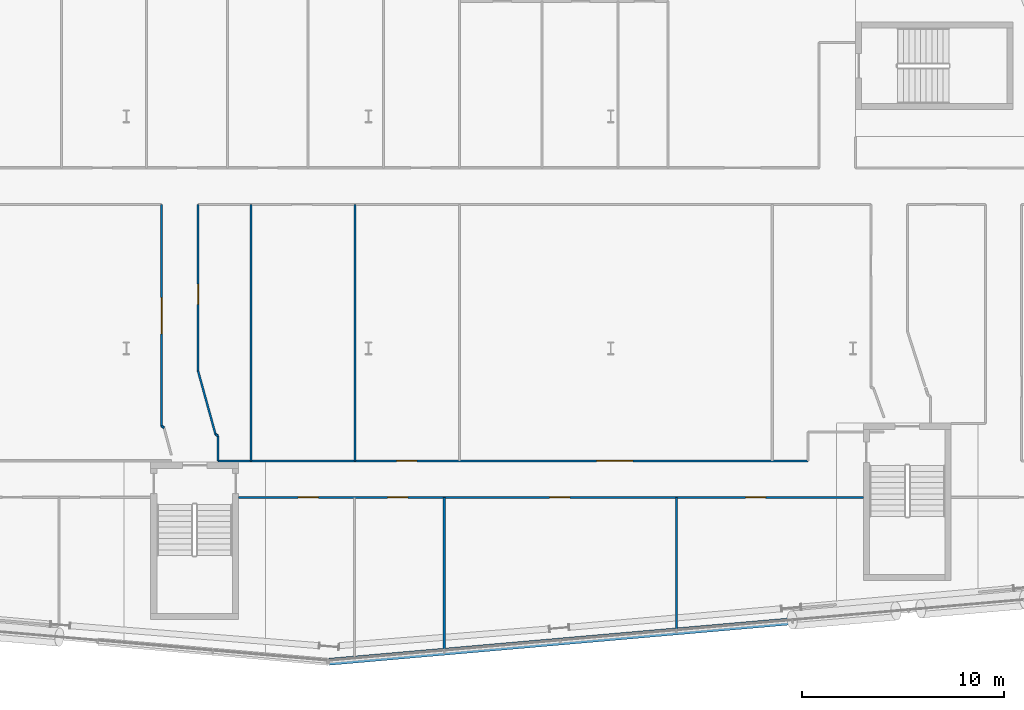
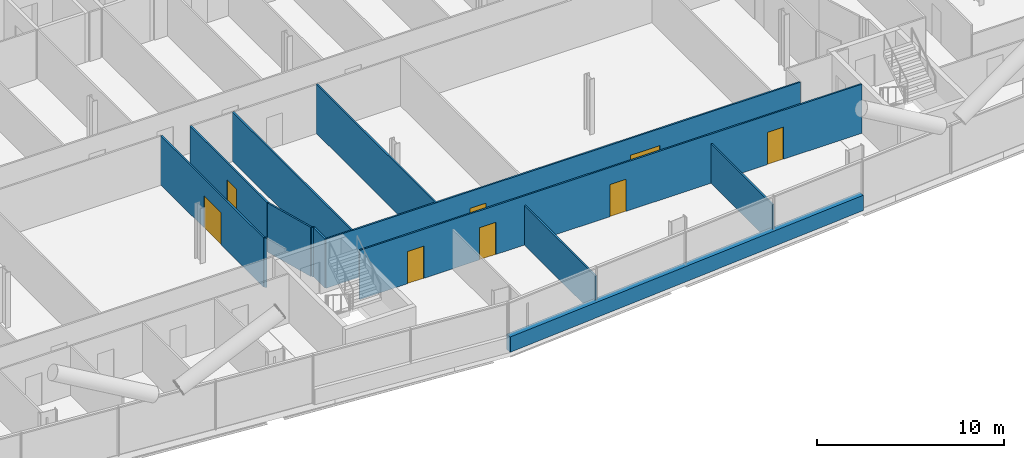
# One storey, part 15 of 27: 13 walls, 8 doors, 8 openings.
"""IFC4 building model written with IfcOpenShell, lengths in metres."""

from ifc_helpers import new_model, si_unit, direction, frame, frame_2d, origin, place, context, subcontext, project, spatial, rectangle, extrude, material, layer, layer_set, type_object, element, fill, save


model = new_model("IFC4")

# Units and contexts
model_context = context("Model", 3, precision=1e-05, world=origin(), true_north=direction((0.0, 1.0)))
body_context = subcontext(model_context, "Body", "Model", "MODEL_VIEW")
ifc_project = project(units=[si_unit("LENGTHUNIT", "METRE"), si_unit("AREAUNIT", "SQUARE_METRE"), si_unit("VOLUMEUNIT", "CUBIC_METRE"), si_unit("PLANEANGLEUNIT", "RADIAN"), si_unit("MASSUNIT", "GRAM", prefix="KILO")], contexts=[model_context])

# Site, building, storey
site_placement = place(None, origin())
site = spatial("IfcSite", under=ifc_project, at=site_placement, CompositionType="ELEMENT")
building_placement = place(site_placement, origin())
building = spatial("IfcBuilding", under=site, at=building_placement, Name="Wharfspan Tower", CompositionType="ELEMENT")
storey_placement = place(building_placement, frame((0.0, 0.0, 55.899902)))
storey = spatial("IfcBuildingStorey", under=building, at=storey_placement, Name="L10", CompositionType="ELEMENT", Elevation=55.899902)

# Wall, opening, door
ifc_material_1 = material(Name="Gypsum board on steel studs", Category="steel")
ifc_layer_1 = layer(ifc_material_1, 0.100098)
ifc_layer_set_1 = layer_set([ifc_layer_1], Name="Gypsum board on steel studs")
wall_type_1 = type_object("IfcWallType", Name="Compartment wall 100 EI 60", PredefinedType="PARTITIONING", material=ifc_layer_set_1)
wall_1_placement = place(storey_placement, frame((37.745117, 7.659912, 0.0), z_axis=(0.0, 0.0, 1.0), x_axis=(0.0, 1.0, 0.0)))
wall_1 = element("IfcWall", 1, at=wall_1_placement, inside=storey, type_object=wall_type_1, Name="Partition L10.w034", PredefinedType="PARTITIONING", context=body_context, shape_type="SweptSolid", body=[
    extrude(rectangle(XDim=10.97998, YDim=0.100098, at=frame_2d((5.48999, 0.0))), origin(), (0.0, 0.0, 1.0), 3.200195),
])
opening_1_placement = place(wall_1_placement, frame((4.554932, 0.0, 0.0)))
opening_1 = element("IfcOpeningElement", 2, at=opening_1_placement, cuts=wall_1, Name="Opening A2-18", PredefinedType="OPENING", context=body_context, shape_type="SweptSolid", body=[
    extrude(rectangle(XDim=1.800049, YDim=2.100098, at=frame_2d((0.899902, 1.050049))), frame((0.0, 0.060059, 0.0), z_axis=(0.0, -1.0, 0.0), x_axis=(1.0, 0.0, 0.0)), (0.0, 0.0, 1.0), 0.120117),
])
ifc_material_2 = material(Name="Fire-rated timber door leaf in steel frame", Category="steel")
door_type_1 = type_object("IfcDoorType", Name="Door 1800 FD30S Double", OperationType="DOUBLE_DOOR_SINGLE_SWING", PredefinedType="DOOR", material=ifc_material_2)
door_1_placement = place(opening_1_placement, origin())
door_1 = element("IfcDoor", 3, at=door_1_placement, inside=storey, type_object=door_type_1, Name="Door A2-18", OperationType="DOUBLE_DOOR_SINGLE_SWING", OverallHeight=2.100098, OverallWidth=1.800049, PredefinedType="DOOR", context=body_context, shape_type="SweptSolid", body=[
    extrude(rectangle(XDim=1.800049, YDim=2.100098, at=frame_2d((0.899902, 1.050049))), frame((0.0, 0.024902, 0.0), z_axis=(0.0, -1.0, 0.0), x_axis=(1.0, 0.0, 0.0)), (0.0, 0.0, 1.0), 0.050049),
])
fill(opening_1, door_1)

# Wall
wall_2_placement = place(storey_placement, frame((37.86499, 7.570068, 0.0), z_axis=(0.0, 0.0, 1.0), x_axis=(-0.800198, 0.599741, 0.0)))
element("IfcWall", 4, at=wall_2_placement, inside=storey, type_object=wall_type_1, Name="Partition L10.w035", PredefinedType="PARTITIONING", context=body_context, shape_type="SweptSolid", body=[
    extrude(rectangle(XDim=0.149902, YDim=0.100098, at=frame_2d((0.074951, 0.0))), origin(), (0.0, 0.0, 1.0), 3.200195),
])

# Wall, opening, door
wall_3_placement = place(storey_placement, frame((39.550049, 10.389893, 0.0), z_axis=(0.0, 0.0, 1.0), x_axis=(0.0, 1.0, 0.0)))
wall_3 = element("IfcWall", 5, at=wall_3_placement, inside=storey, type_object=wall_type_1, Name="Partition L10.w037", PredefinedType="PARTITIONING", context=body_context, shape_type="SweptSolid", body=[
    extrude(rectangle(XDim=8.25, YDim=0.100098, at=frame_2d((4.125, 0.0))), origin(), (0.0, 0.0, 1.0), 3.200195),
])
opening_2_placement = place(wall_3_placement, frame((3.292969, 0.0, 0.0)))
opening_2 = element("IfcOpeningElement", 6, at=opening_2_placement, cuts=wall_3, Name="Opening A2-19", PredefinedType="OPENING", context=body_context, shape_type="SweptSolid", body=[
    extrude(rectangle(XDim=1.0, YDim=2.100098, at=frame_2d((0.5, 1.050049))), frame((0.0, 0.060059, 0.0), z_axis=(0.0, -1.0, 0.0), x_axis=(1.0, 0.0, 0.0)), (0.0, 0.0, 1.0), 0.120117),
])
door_type_2 = type_object("IfcDoorType", Name="Door 1000 FD30S Left", OperationType="SINGLE_SWING_LEFT", PredefinedType="DOOR", material=ifc_material_2)
door_2_placement = place(opening_2_placement, origin())
door_2 = element("IfcDoor", 7, at=door_2_placement, inside=storey, type_object=door_type_2, Name="Door A2-19", OperationType="SINGLE_SWING_LEFT", OverallHeight=2.100098, OverallWidth=1.0, PredefinedType="DOOR", context=body_context, shape_type="SweptSolid", body=[
    extrude(rectangle(XDim=1.0, YDim=2.100098, at=frame_2d((0.5, 1.050049))), frame((0.0, 0.024902, 0.0), z_axis=(0.0, -1.0, 0.0), x_axis=(1.0, 0.0, 0.0)), (0.0, 0.0, 1.0), 0.050049),
])
fill(opening_2, door_2)

# Walls
wall_4_placement = place(storey_placement, frame((40.415039, 7.25, 0.0), z_axis=(0.0, 0.0, 1.0), x_axis=(-0.26559, 0.964085, 0.0)))
element("IfcWall", 8, at=wall_4_placement, inside=storey, type_object=wall_type_1, Name="Partition L10.w039", PredefinedType="PARTITIONING", context=body_context, shape_type="SweptSolid", body=[
    extrude(rectangle(XDim=3.256836, YDim=0.100098, at=frame_2d((1.628418, 0.0))), origin(), (0.0, 0.0, 1.0), 3.200195),
])
wall_5_placement = place(storey_placement, frame((40.534912, 5.925049, 0.0), z_axis=(0.0, 0.0, 1.0), x_axis=(0.0, 1.0, 0.0)))
element("IfcWall", 9, at=wall_5_placement, inside=storey, type_object=wall_type_1, Name="Partition L10.w040", PredefinedType="PARTITIONING", context=body_context, shape_type="SweptSolid", body=[
    extrude(rectangle(XDim=1.234863, YDim=0.100098, at=frame_2d((0.617432, 0.0))), origin(), (0.0, 0.0, 1.0), 3.200195),
])

# Wall, openings, doors
wall_6_placement = place(storey_placement, frame((40.534912, 5.925049, 0.0), z_axis=(0.0, 0.0, 1.0), x_axis=(1.0, 0.0, 0.0)))
wall_6 = element("IfcWall", 10, at=wall_6_placement, inside=storey, type_object=wall_type_1, Name="Partition L10.w041", PredefinedType="PARTITIONING", context=body_context, shape_type="SweptSolid", body=[
    extrude(rectangle(XDim=29.22998, YDim=0.100098, at=frame_2d((14.61499, 0.0))), origin(), (0.0, 0.0, 1.0), 3.200195),
])
opening_3_placement = place(wall_6_placement, frame((8.860107, 0.0, 0.0)))
opening_3 = element("IfcOpeningElement", 11, at=opening_3_placement, cuts=wall_6, Name="Opening A2-15", PredefinedType="OPENING", context=body_context, shape_type="SweptSolid", body=[
    extrude(rectangle(XDim=1.0, YDim=2.100098, at=frame_2d((0.5, 1.050049))), frame((0.0, 0.060059, 0.0), z_axis=(0.0, -1.0, 0.0), x_axis=(1.0, 0.0, 0.0)), (0.0, 0.0, 1.0), 0.120117),
])
opening_4_placement = place(wall_6_placement, frame((18.764893, 0.0, 0.0)))
opening_4 = element("IfcOpeningElement", 12, at=opening_4_placement, cuts=wall_6, Name="Opening A2-16", PredefinedType="OPENING", context=body_context, shape_type="SweptSolid", body=[
    extrude(rectangle(XDim=1.800049, YDim=2.100098, at=frame_2d((0.899902, 1.050049))), frame((0.0, 0.060059, 0.0), z_axis=(0.0, -1.0, 0.0), x_axis=(1.0, 0.0, 0.0)), (0.0, 0.0, 1.0), 0.120117),
])
door_3_placement = place(opening_3_placement, origin())
door_3 = element("IfcDoor", 13, at=door_3_placement, inside=storey, type_object=door_type_2, Name="Door A2-15", OperationType="SINGLE_SWING_LEFT", OverallHeight=2.100098, OverallWidth=1.0, PredefinedType="DOOR", context=body_context, shape_type="SweptSolid", body=[
    extrude(rectangle(XDim=1.0, YDim=2.100098, at=frame_2d((0.5, 1.050049))), frame((0.0, 0.024902, 0.0), z_axis=(0.0, -1.0, 0.0), x_axis=(1.0, 0.0, 0.0)), (0.0, 0.0, 1.0), 0.050049),
])
fill(opening_3, door_3)
door_4_placement = place(opening_4_placement, origin())
door_4 = element("IfcDoor", 14, at=door_4_placement, inside=storey, type_object=door_type_1, Name="Door A2-16", OperationType="DOUBLE_DOOR_SINGLE_SWING", OverallHeight=2.100098, OverallWidth=1.800049, PredefinedType="DOOR", context=body_context, shape_type="SweptSolid", body=[
    extrude(rectangle(XDim=1.800049, YDim=2.100098, at=frame_2d((0.899902, 1.050049))), frame((0.0, 0.024902, 0.0), z_axis=(0.0, -1.0, 0.0), x_axis=(1.0, 0.0, 0.0)), (0.0, 0.0, 1.0), 0.050049),
])
fill(opening_4, door_4)

# Wall
wall_7_placement = place(storey_placement, frame((40.534912, 7.159912, 0.0), z_axis=(0.0, 0.0, 1.0), x_axis=(-0.799412, 0.60078, 0.0)))
element("IfcWall", 15, at=wall_7_placement, inside=storey, type_object=wall_type_1, Name="Partition L10.w042", PredefinedType="PARTITIONING", context=body_context, shape_type="SweptSolid", body=[
    extrude(rectangle(XDim=0.149902, YDim=0.100098, at=frame_2d((0.074951, 0.0))), origin(), (0.0, 0.0, 1.0), 3.200195),
])

# Wall, openings, doors
wall_8_placement = place(storey_placement, frame((41.55835, 4.120117, 0.0), z_axis=(0.0, 0.0, 1.0), x_axis=(1.0, 0.0, 0.0)))
wall_8 = element("IfcWall", 16, at=wall_8_placement, inside=storey, type_object=wall_type_1, Name="Partition L10.w044", PredefinedType="PARTITIONING", context=body_context, shape_type="SweptSolid", body=[
    extrude(rectangle(XDim=30.959229, YDim=0.100098, at=frame_2d((15.479492, 0.0))), origin(), (0.0, 0.0, 1.0), 3.200195),
])
opening_5_placement = place(wall_8_placement, frame((2.95166, 0.0, 0.0)))
opening_5 = element("IfcOpeningElement", 17, at=opening_5_placement, cuts=wall_8, Name="Opening A2-07", PredefinedType="OPENING", context=body_context, shape_type="SweptSolid", body=[
    extrude(rectangle(XDim=1.0, YDim=2.100098, at=frame_2d((0.5, 1.050049))), frame((0.0, 0.060059, 0.0), z_axis=(0.0, -1.0, 0.0), x_axis=(1.0, 0.0, 0.0)), (0.0, 0.0, 1.0), 0.120117),
])
opening_6_placement = place(wall_8_placement, frame((7.386719, 0.0, 0.0)))
opening_6 = element("IfcOpeningElement", 18, at=opening_6_placement, cuts=wall_8, Name="Opening A2-08", PredefinedType="OPENING", context=body_context, shape_type="SweptSolid", body=[
    extrude(rectangle(XDim=1.0, YDim=2.100098, at=frame_2d((0.5, 1.050049))), frame((0.0, 0.060059, 0.0), z_axis=(0.0, -1.0, 0.0), x_axis=(1.0, 0.0, 0.0)), (0.0, 0.0, 1.0), 0.120117),
])
opening_7_placement = place(wall_8_placement, frame((15.416748, 0.0, 0.0)))
opening_7 = element("IfcOpeningElement", 19, at=opening_7_placement, cuts=wall_8, Name="Opening A2-09", PredefinedType="OPENING", context=body_context, shape_type="SweptSolid", body=[
    extrude(rectangle(XDim=1.0, YDim=2.100098, at=frame_2d((0.5, 1.050049))), frame((0.0, 0.060059, 0.0), z_axis=(0.0, -1.0, 0.0), x_axis=(1.0, 0.0, 0.0)), (0.0, 0.0, 1.0), 0.120117),
])
opening_8_placement = place(wall_8_placement, frame((25.116699, 0.0, 0.0)))
opening_8 = element("IfcOpeningElement", 20, at=opening_8_placement, cuts=wall_8, Name="Opening A2-10", PredefinedType="OPENING", context=body_context, shape_type="SweptSolid", body=[
    extrude(rectangle(XDim=1.0, YDim=2.100098, at=frame_2d((0.5, 1.050049))), frame((0.0, 0.060059, 0.0), z_axis=(0.0, -1.0, 0.0), x_axis=(1.0, 0.0, 0.0)), (0.0, 0.0, 1.0), 0.120117),
])
door_5_placement = place(opening_5_placement, origin())
door_5 = element("IfcDoor", 21, at=door_5_placement, inside=storey, type_object=door_type_2, Name="Door A2-07", OperationType="SINGLE_SWING_LEFT", OverallHeight=2.100098, OverallWidth=1.0, PredefinedType="DOOR", context=body_context, shape_type="SweptSolid", body=[
    extrude(rectangle(XDim=1.0, YDim=2.100098, at=frame_2d((0.5, 1.050049))), frame((0.0, 0.024902, 0.0), z_axis=(0.0, -1.0, 0.0), x_axis=(1.0, 0.0, 0.0)), (0.0, 0.0, 1.0), 0.050049),
])
fill(opening_5, door_5)
door_6_placement = place(opening_6_placement, origin())
door_6 = element("IfcDoor", 22, at=door_6_placement, inside=storey, type_object=door_type_2, Name="Door A2-08", OperationType="SINGLE_SWING_LEFT", OverallHeight=2.100098, OverallWidth=1.0, PredefinedType="DOOR", context=body_context, shape_type="SweptSolid", body=[
    extrude(rectangle(XDim=1.0, YDim=2.100098, at=frame_2d((0.5, 1.050049))), frame((0.0, 0.024902, 0.0), z_axis=(0.0, -1.0, 0.0), x_axis=(1.0, 0.0, 0.0)), (0.0, 0.0, 1.0), 0.050049),
])
fill(opening_6, door_6)
door_type_3 = type_object("IfcDoorType", Name="Door 1000 FD30S Right", OperationType="SINGLE_SWING_RIGHT", PredefinedType="DOOR", material=ifc_material_2)
door_7_placement = place(opening_7_placement, origin())
door_7 = element("IfcDoor", 23, at=door_7_placement, inside=storey, type_object=door_type_3, Name="Door A2-09", OperationType="SINGLE_SWING_RIGHT", OverallHeight=2.100098, OverallWidth=1.0, PredefinedType="DOOR", context=body_context, shape_type="SweptSolid", body=[
    extrude(rectangle(XDim=1.0, YDim=2.100098, at=frame_2d((0.5, 1.050049))), frame((0.0, 0.024902, 0.0), z_axis=(0.0, -1.0, 0.0), x_axis=(1.0, 0.0, 0.0)), (0.0, 0.0, 1.0), 0.050049),
])
fill(opening_7, door_7)
door_8_placement = place(opening_8_placement, origin())
door_8 = element("IfcDoor", 24, at=door_8_placement, inside=storey, type_object=door_type_3, Name="Door A2-10", OperationType="SINGLE_SWING_RIGHT", OverallHeight=2.100098, OverallWidth=1.0, PredefinedType="DOOR", context=body_context, shape_type="SweptSolid", body=[
    extrude(rectangle(XDim=1.0, YDim=2.100098, at=frame_2d((0.5, 1.050049))), frame((0.0, 0.024902, 0.0), z_axis=(0.0, -1.0, 0.0), x_axis=(1.0, 0.0, 0.0)), (0.0, 0.0, 1.0), 0.050049),
])
fill(opening_8, door_8)

# Walls
for number, where, z_axis, x_axis, name in (
    (25, (42.165039, 5.925049, 0.0), (0.0, 0.0, 1.0), (0.0, 1.0, 0.0), "Partition L10.w045"),
    (26, (47.334961, 5.925049, 0.0), (0.0, 0.0, 1.0), (0.0, 1.0, 0.0), "Partition L10.w048"),
):
    element("IfcWall", number, at=place(storey_placement, frame(where, z_axis=z_axis, x_axis=x_axis)), inside=storey, type_object=wall_type_1, Name=name, PredefinedType="PARTITIONING", context=body_context, shape_type="SweptSolid", body=[
        extrude(rectangle(XDim=12.714844, YDim=0.100098, at=frame_2d((6.357422, 0.0))), origin(), (0.0, 0.0, 1.0), 3.200195),
    ])
wall_9_placement = place(storey_placement, frame((51.75, -3.501221, 0.0), z_axis=(0.0, 0.0, 1.0), x_axis=(0.0, 1.0, 0.0)))
element("IfcWall", 27, at=wall_9_placement, inside=storey, type_object=wall_type_1, Name="Partition L10.w050", PredefinedType="PARTITIONING", context=body_context, shape_type="SweptSolid", body=[
    extrude(rectangle(XDim=7.621338, YDim=0.100098, at=frame_2d((3.810547, 0.0))), origin(), (0.0, 0.0, 1.0), 2.580078),
])
wall_10_placement = place(storey_placement, frame((63.25, -2.495117, 0.0), z_axis=(0.0, 0.0, 1.0), x_axis=(0.0, 1.0, 0.0)))
element("IfcWall", 28, at=wall_10_placement, inside=storey, type_object=wall_type_1, Name="Partition L10.w057", PredefinedType="PARTITIONING", context=body_context, shape_type="SweptSolid", body=[
    extrude(rectangle(XDim=6.615234, YDim=0.100098, at=frame_2d((3.307617, 0.0))), origin(), (0.0, 0.0, 1.0), 2.580078),
])
ifc_material_3 = material(Name="Concrete C40/50", Category="concrete")
ifc_layer_2 = layer(ifc_material_3, 0.350098)
ifc_layer_set_2 = layer_set([ifc_layer_2], Name="Concrete C40/50")
wall_type_2 = type_object("IfcWallType", Name="SPANDREL EXPOSED CONCRETE 350", PredefinedType="SOLIDWALL", material=ifc_layer_set_2)
wall_11_placement = place(storey_placement, frame((46.04541, -4.025635, 0.0), z_axis=(0.0, 0.0, 1.0), x_axis=(0.99619, 0.087163, 0.0)))
element("IfcWall", 29, at=wall_11_placement, inside=storey, type_object=wall_type_2, Name="Spandrel upstand L10 S2 1", PredefinedType="SOLIDWALL", context=body_context, shape_type="SweptSolid", body=[
    extrude(rectangle(XDim=23.012695, YDim=0.350098, at=frame_2d((11.506348, 0.0))), origin(), (0.0, 0.0, 1.0), 1.0),
])

save(model, "model.ifc")
